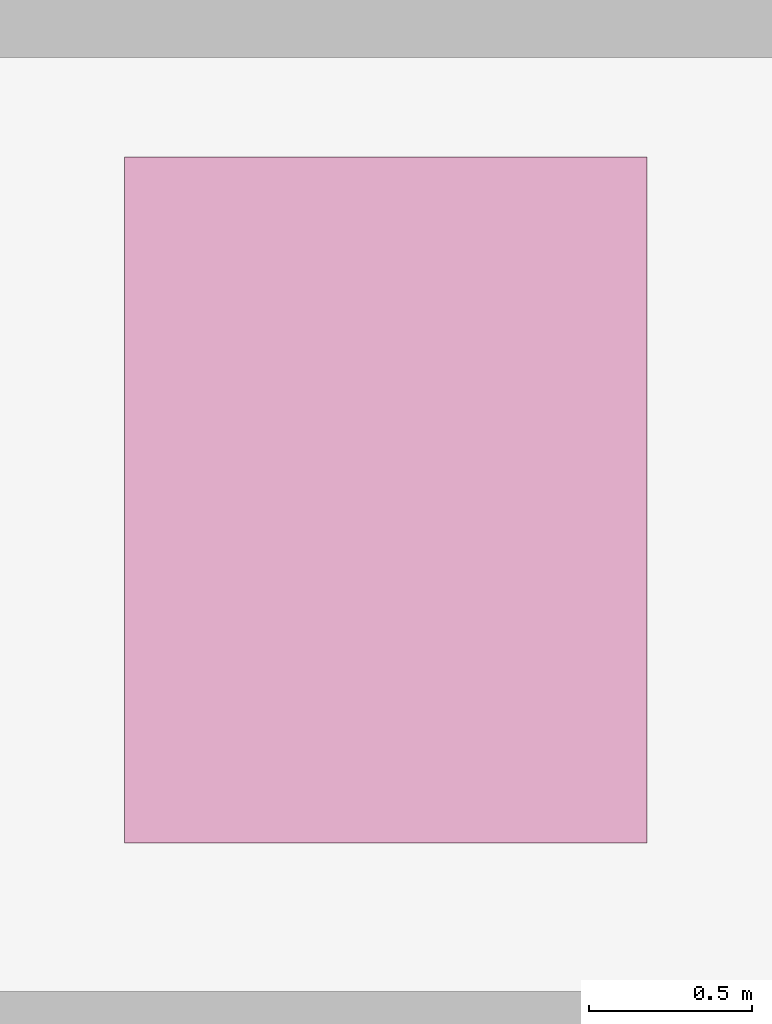
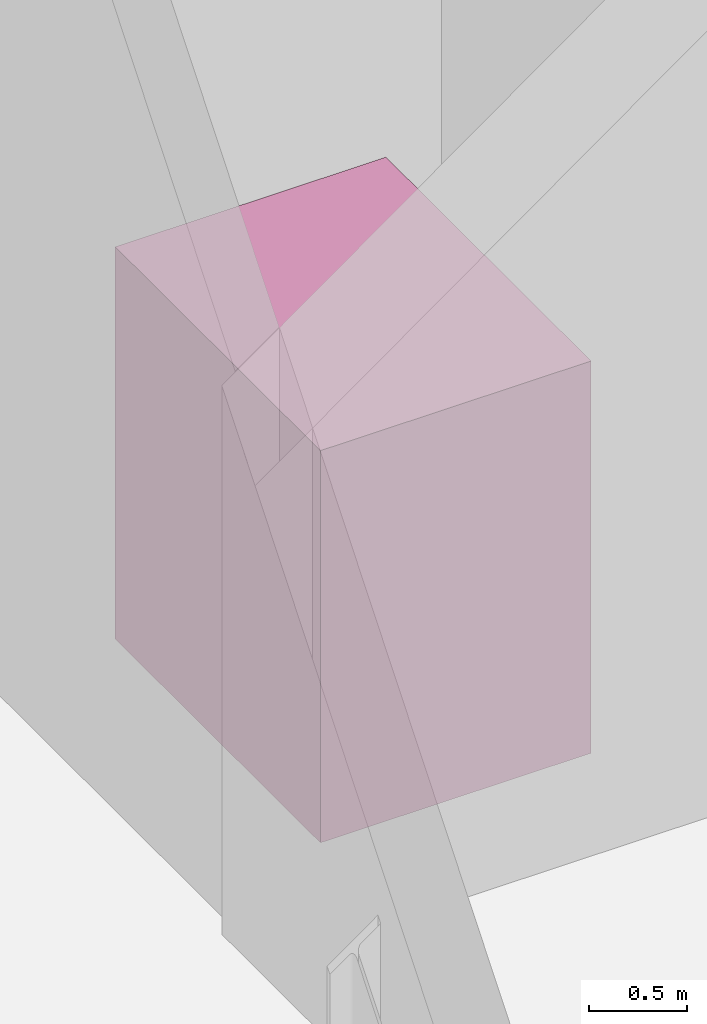
# One storey, part 124 of 124: 1 transport element.
"""IFC4 building model written with IfcOpenShell, lengths in metres."""

from ifc_helpers import new_model, si_unit, direction, frame, origin, origin_2d, place, context, subcontext, project, spatial, rectangle, extrude, material, type_object, element, save


model = new_model("IFC4")

# Units and contexts
model_context = context("Model", 3, precision=1e-05, world=origin(), true_north=direction((0.0, 1.0)))
body_context = subcontext(model_context, "Body", "Model", "MODEL_VIEW")
ifc_project = project(units=[si_unit("LENGTHUNIT", "METRE"), si_unit("AREAUNIT", "SQUARE_METRE"), si_unit("VOLUMEUNIT", "CUBIC_METRE"), si_unit("PLANEANGLEUNIT", "RADIAN"), si_unit("MASSUNIT", "GRAM", prefix="KILO")], contexts=[model_context])

# Site, building, storey
site_placement = place(None, origin())
site = spatial("IfcSite", under=ifc_project, at=site_placement, CompositionType="ELEMENT")
building_placement = place(site_placement, origin())
building = spatial("IfcBuilding", under=site, at=building_placement, Name="Mersafa Astral City Hall", CompositionType="ELEMENT")
storey_placement = place(building_placement, origin())
storey = spatial("IfcBuildingStorey", under=building, at=storey_placement, Name="L00", CompositionType="ELEMENT", Elevation=0.0)

# Transport element
ifc_material = material(Name="Brushed bronze & oak passenger elevator cab", Category="metal")
transport_element_type = type_object("IfcTransportElementType", Name="INT-LIFT-PAX-1600X2100", PredefinedType="ELEVATOR", material=ifc_material)
transport_element_placement = place(storey_placement, frame((10.280029296875, 87.5, 0.0), z_axis=(0.0, 0.0, 1.0), x_axis=(1.0, 0.0, 0.0)))
element("IfcTransportElement", 1, at=transport_element_placement, inside=storey, type_object=transport_element_type, Name="Elevator LF8", PredefinedType="ELEVATOR", context=body_context, shape_type="SweptSolid", body=[
    extrude(rectangle(XDim=1.60009765625, YDim=2.10009765625, at=origin_2d()), origin(), (0.0, 0.0, 1.0), 2.449951171875),
])

save(model, "model.ifc")
